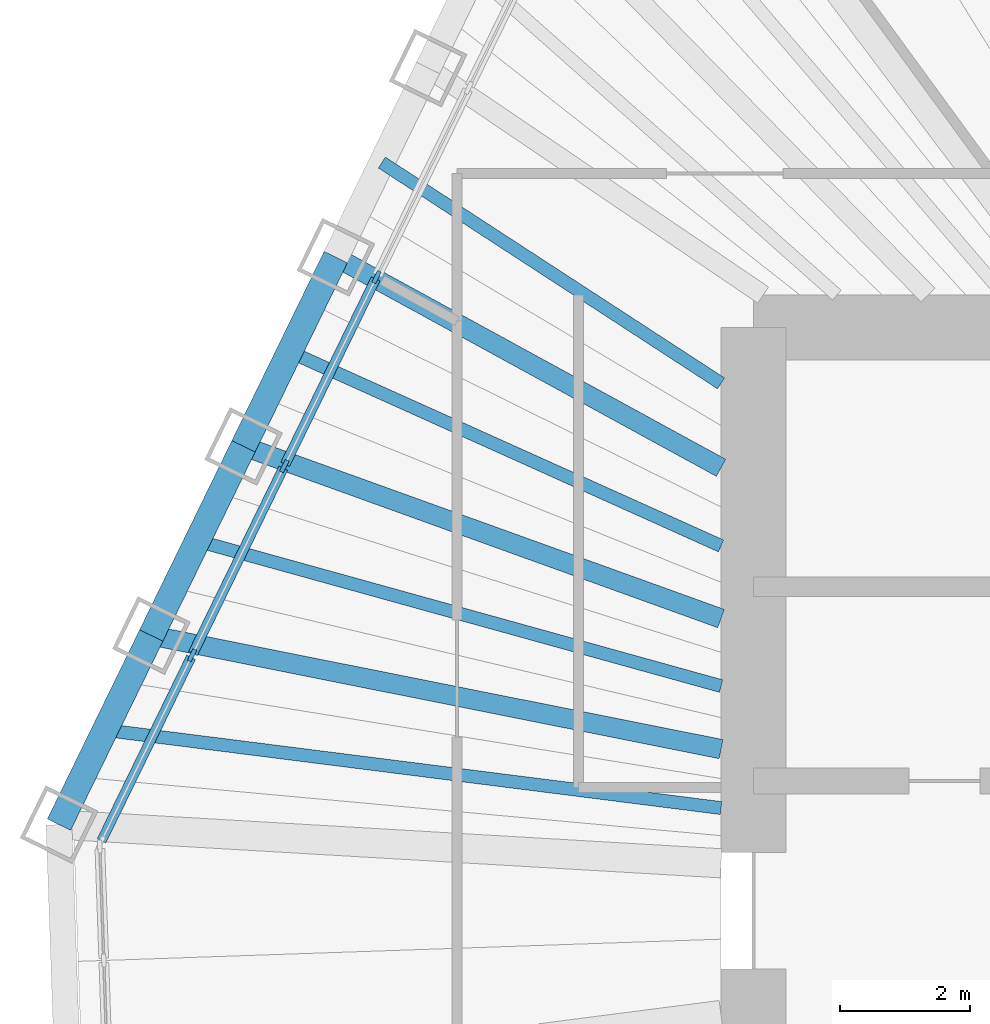
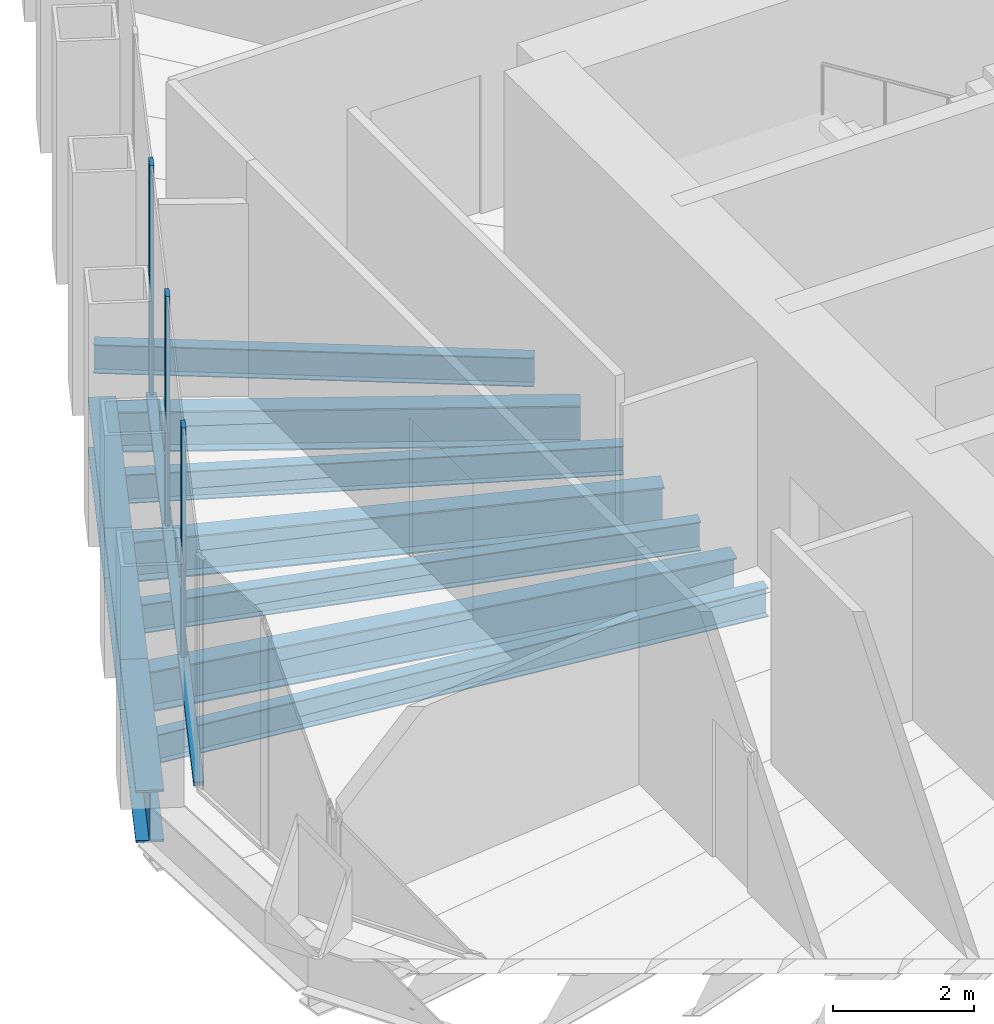
# One storey, part 4 of 14: 10 beams, 6 members, 1 element without a shape of its own.
"""IFC4 building model written with IfcOpenShell, lengths in metres."""

from ifc_helpers import new_model, si_unit, direction, frame, origin, origin_2d, place, context, subcontext, project, spatial, rectangle, i_section, extrude, material, material_profile, profile_set, type_object, element, aggregate, save


model = new_model("IFC4")

# Units and contexts
model_context = context("Model", 3, precision=1e-05, world=origin(), true_north=direction((0.0, 1.0)))
body_context = subcontext(model_context, "Body", "Model", "MODEL_VIEW")
ifc_project = project(units=[si_unit("LENGTHUNIT", "METRE"), si_unit("AREAUNIT", "SQUARE_METRE"), si_unit("VOLUMEUNIT", "CUBIC_METRE"), si_unit("PLANEANGLEUNIT", "RADIAN"), si_unit("MASSUNIT", "GRAM", prefix="KILO")], contexts=[model_context])

# Site, building, storey
site_placement = place(None, origin())
site = spatial("IfcSite", under=ifc_project, at=site_placement, CompositionType="ELEMENT")
building_placement = place(site_placement, origin())
building = spatial("IfcBuilding", under=site, at=building_placement, Name="Qingtian Harvest Tower", CompositionType="ELEMENT")
storey_placement = place(building_placement, frame((0.0, 0.0, 283.0)))
storey = spatial("IfcBuildingStorey", under=building, at=storey_placement, Name="L62", CompositionType="ELEMENT", Elevation=283.0)

# Beams
ifc_material_1 = material(Name="Steel SN490B", Category="steel")
ifc_material_profile_1 = material_profile(ifc_material_1, i_section(OverallWidth=0.300048828125, OverallDepth=0.699951171875, WebThickness=0.012939453125, FlangeThickness=0.02392578125, at=origin_2d()), Name="H700x300x13x24")
ifc_profile_set_1 = profile_set([ifc_material_profile_1], Name="Steel SN490B")
beam_type_1 = type_object("IfcBeamType", Name="Floor beam FB4 H700x300x13x24", PredefinedType="BEAM", material=ifc_profile_set_1)
beam_1_placement = place(storey_placement, frame((-21.29345703125, 4.246337890625, -0.52001953125), z_axis=(0.980688391079, -0.195576786971, 0.0), x_axis=(0.195576786971, 0.980688391079, 0.0)))
element("IfcBeam", 1, at=beam_1_placement, inside=storey, type_object=beam_type_1, Name="Floor beam FB4 NW1", PredefinedType="BEAM", context=body_context, shape_type="SweptSolid", body=[
    extrude(i_section(OverallWidth=0.300048828125, OverallDepth=0.699951171875, WebThickness=0.012939453125, FlangeThickness=0.02392578125, at=origin_2d()), origin(), (0.0, 0.0, 1.0), 8.966552734375),
])
beam_2_placement = place(storey_placement, frame((-19.86962890625, 7.165771484375, -0.52001953125), z_axis=(0.940688220757, -0.339272267256, 0.0), x_axis=(0.339272267256, 0.940688220757, 0.0)))
element("IfcBeam", 2, at=beam_2_placement, inside=storey, type_object=beam_type_1, Name="Floor beam FB4 NW2", PredefinedType="BEAM", context=body_context, shape_type="SweptSolid", body=[
    extrude(i_section(OverallWidth=0.300048828125, OverallDepth=0.699951171875, WebThickness=0.012939453125, FlangeThickness=0.02392578125, at=origin_2d()), origin(), (0.0, 0.0, 1.0), 7.834228515625),
])
beam_3_placement = place(storey_placement, frame((-18.44580078125, 10.0849609375, -0.52001953125), z_axis=(0.877425639682, -0.479712671116, 0.0), x_axis=(0.479712671116, 0.877425639682, 0.0)))
element("IfcBeam", 3, at=beam_3_placement, inside=storey, type_object=beam_type_1, Name="Floor beam FB4 NW3", PredefinedType="BEAM", context=body_context, shape_type="SweptSolid", body=[
    extrude(i_section(OverallWidth=0.300048828125, OverallDepth=0.699951171875, WebThickness=0.012939453125, FlangeThickness=0.02392578125, at=origin_2d()), origin(), (0.0, 0.0, 1.0), 6.7763671875),
])
ifc_material_2 = material(Name="Steel SN490B", Category="steel")
ifc_material_profile_2 = material_profile(ifc_material_2, i_section(OverallWidth=0.199951171875, OverallDepth=0.5, WebThickness=0.010009765625, FlangeThickness=0.01611328125, at=origin_2d()), Name="H500x200x10x16")
ifc_profile_set_2 = profile_set([ifc_material_profile_2], Name="Steel SN490B")
beam_type_2 = type_object("IfcBeamType", Name="Floor joist J3 H500x200x10x16", PredefinedType="JOIST", material=ifc_profile_set_2)
beam_4_placement = place(storey_placement, frame((-22.00537109375, 2.78662109375, -0.419921875), z_axis=(0.992078247837, -0.125621455844, 0.0), x_axis=(0.125621455844, 0.992078247837, 0.0)))
element("IfcBeam", 4, at=beam_4_placement, inside=storey, type_object=beam_type_2, Name="Floor joist J3 NW0", PredefinedType="JOIST", context=body_context, shape_type="SweptSolid", body=[
    extrude(i_section(OverallWidth=0.199951171875, OverallDepth=0.5, WebThickness=0.010009765625, FlangeThickness=0.01611328125, at=origin_2d()), origin(), (0.0, 0.0, 1.0), 9.581298828125),
])
beam_5_placement = place(storey_placement, frame((-20.58154296875, 5.7060546875, -0.419921875), z_axis=(0.963652918134, -0.267157356949, 0.0), x_axis=(0.267157356949, 0.963652918134, 0.0)))
element("IfcBeam", 5, at=beam_5_placement, inside=storey, type_object=beam_type_2, Name="Floor joist J3 NW1", PredefinedType="JOIST", context=body_context, shape_type="SweptSolid", body=[
    extrude(i_section(OverallWidth=0.199951171875, OverallDepth=0.5, WebThickness=0.010009765625, FlangeThickness=0.01611328125, at=origin_2d()), origin(), (0.0, 0.0, 1.0), 8.386474609375),
])
beam_6_placement = place(storey_placement, frame((-19.15771484375, 8.625244140625, -0.419921875), z_axis=(0.911852669976, -0.410517610168, 0.0), x_axis=(0.410517610168, 0.911852669976, 0.0)))
element("IfcBeam", 6, at=beam_6_placement, inside=storey, type_object=beam_type_2, Name="Floor joist J3 NW2", PredefinedType="JOIST", context=body_context, shape_type="SweptSolid", body=[
    extrude(i_section(OverallWidth=0.199951171875, OverallDepth=0.5, WebThickness=0.010009765625, FlangeThickness=0.01611328125, at=origin_2d()), origin(), (0.0, 0.0, 1.0), 7.30126953125),
])
beam_7_placement = place(storey_placement, frame((-17.73388671875, 11.544677734375, -0.419921875), z_axis=(0.838062930903, -0.545573573266, 0.0), x_axis=(0.545573573266, 0.838062930903, 0.0)))
element("IfcBeam", 7, at=beam_7_placement, inside=storey, type_object=beam_type_2, Name="Floor joist J3 NW3", PredefinedType="JOIST", context=body_context, shape_type="SweptSolid", body=[
    extrude(i_section(OverallWidth=0.199951171875, OverallDepth=0.5, WebThickness=0.010009765625, FlangeThickness=0.01611328125, at=origin_2d()), origin(), (0.0, 0.0, 1.0), 6.2451171875),
])

# Curtain wall, members
ifc_material_3 = material(Name="Bronze-anodised aluminium curtain wall", Category="aluminium")
curtain_wall_type = type_object("IfcCurtainWallType", Name="Curtain wall CW5 upper office", PredefinedType="USERDEFINED", material=ifc_material_3)
curtain_wall_placement = place(storey_placement, origin())
curtain_wall = element("IfcCurtainWall", 8, at=curtain_wall_placement, inside=storey, type_object=curtain_wall_type, Name="Curtain wall CW5 L62 NW0-5", ObjectType="RECESSED CURTAIN WALL", PredefinedType="USERDEFINED")
ifc_material_4 = material(Name="Bronze-anodised aluminium mullion", Category="aluminium")
ifc_material_profile_3 = material_profile(ifc_material_4, rectangle(XDim=0.06494140625, YDim=0.199951171875, at=origin_2d()), Name="AL 65x200")
ifc_profile_set_3 = profile_set([ifc_material_profile_3], Name="Bronze-anodised aluminium mullion")
member_type_1 = type_object("IfcMemberType", Name="Mullion CWM 65x200", PredefinedType="MULLION", material=ifc_profile_set_3)
member_1_placement = place(storey_placement, frame((-20.664306640625, 3.939453125, 0.0), z_axis=(0.0, 0.0, 1.0), x_axis=(-0.898794046299, 0.438371146789, 0.0)))
member_1 = element("IfcMember", 9, at=member_1_placement, type_object=member_type_1, Name="CW5 mullion 2", PredefinedType="MULLION", context=body_context, shape_type="SweptSolid", body=[
    extrude(rectangle(XDim=0.06494140625, YDim=0.199951171875, at=origin_2d()), origin(), (0.0, 0.0, 1.0), 4.030029296875),
])
member_2_placement = place(storey_placement, frame((-19.240478515625, 6.85888671875, 0.0), z_axis=(0.0, 0.0, 1.0), x_axis=(-0.898794046299, 0.438371146789, 0.0)))
member_2 = element("IfcMember", 10, at=member_2_placement, type_object=member_type_1, Name="CW5 mullion 3", PredefinedType="MULLION", context=body_context, shape_type="SweptSolid", body=[
    extrude(rectangle(XDim=0.06494140625, YDim=0.199951171875, at=origin_2d()), origin(), (0.0, 0.0, 1.0), 4.030029296875),
])
member_3_placement = place(storey_placement, frame((-17.816650390625, 9.778076171875, 0.0), z_axis=(0.0, 0.0, 1.0), x_axis=(-0.898794046299, 0.438371146789, 0.0)))
member_3 = element("IfcMember", 11, at=member_3_placement, type_object=member_type_1, Name="CW5 mullion 4", PredefinedType="MULLION", context=body_context, shape_type="SweptSolid", body=[
    extrude(rectangle(XDim=0.06494140625, YDim=0.199951171875, at=origin_2d()), origin(), (0.0, 0.0, 1.0), 4.030029296875),
])

# Beams
ifc_material_5 = material(Name="Steel SN490B", Category="steel")
ifc_material_profile_4 = material_profile(ifc_material_5, i_section(OverallWidth=0.39990234375, OverallDepth=0.89990234375, WebThickness=0.01904296875, FlangeThickness=0.035888671875, at=origin_2d()), Name="H900x400x19x36")
ifc_profile_set_4 = profile_set([ifc_material_profile_4], Name="Steel SN490B")
beam_type_3 = type_object("IfcBeamType", Name="Spandrel beam SB4 H900x400x19x36", PredefinedType="SPANDREL", material=ifc_profile_set_4)
beam_8_placement = place(storey_placement, frame((-22.71728515625, 1.3271484375, -0.449951171875), z_axis=(0.438382164311, 0.898788672611, 0.0), x_axis=(-0.898788672611, 0.438382164311, 0.0)))
element("IfcBeam", 12, at=beam_8_placement, inside=storey, type_object=beam_type_3, Name="Spandrel SB4 NW0", PredefinedType="SPANDREL", context=body_context, shape_type="SweptSolid", body=[
    extrude(i_section(OverallWidth=0.39990234375, OverallDepth=0.89990234375, WebThickness=0.01904296875, FlangeThickness=0.035888671875, at=origin_2d()), origin(), (0.0, 0.0, 1.0), 3.247802734375),
])
beam_9_placement = place(storey_placement, frame((-21.29345703125, 4.246337890625, -0.449951171875), z_axis=(0.438352548749, 0.898803116931, 0.0), x_axis=(-0.898803116931, 0.438352548749, 0.0)))
element("IfcBeam", 13, at=beam_9_placement, inside=storey, type_object=beam_type_3, Name="Spandrel SB4 NW1", PredefinedType="SPANDREL", context=body_context, shape_type="SweptSolid", body=[
    extrude(i_section(OverallWidth=0.39990234375, OverallDepth=0.89990234375, WebThickness=0.01904296875, FlangeThickness=0.035888671875, at=origin_2d()), origin(), (0.0, 0.0, 1.0), 3.248046875),
])
beam_10_placement = place(storey_placement, frame((-19.86962890625, 7.165771484375, -0.449951171875), z_axis=(0.438382164311, 0.898788672611, 0.0), x_axis=(-0.898788672611, 0.438382164311, 0.0)))
element("IfcBeam", 14, at=beam_10_placement, inside=storey, type_object=beam_type_3, Name="Spandrel SB4 NW2", PredefinedType="SPANDREL", context=body_context, shape_type="SweptSolid", body=[
    extrude(i_section(OverallWidth=0.39990234375, OverallDepth=0.89990234375, WebThickness=0.01904296875, FlangeThickness=0.035888671875, at=origin_2d()), origin(), (0.0, 0.0, 1.0), 3.247802734375),
])

# Member
ifc_material_6 = material(Name="Bronze-anodised aluminium transom", Category="aluminium")
ifc_material_profile_5 = material_profile(ifc_material_6, rectangle(XDim=0.14990234375, YDim=0.06494140625, at=origin_2d()), Name="AL 65x150")
ifc_profile_set_5 = profile_set([ifc_material_profile_5], Name="Bronze-anodised aluminium transom")
member_type_2 = type_object("IfcMemberType", Name="Transom CWT 65x150", PredefinedType="USERDEFINED", material=ifc_profile_set_5)
member_4_placement = place(storey_placement, frame((-22.059814453125, 1.07861328125, 0.032470703125), z_axis=(0.438357982629, 0.89880046677, 0.0), x_axis=(-0.89880046677, 0.438357982629, 0.0)))
member_4 = element("IfcMember", 15, at=member_4_placement, type_object=member_type_2, Name="CW5 transom 1.1", ObjectType="TRANSOM", PredefinedType="USERDEFINED", context=body_context, shape_type="SweptSolid", body=[
    extrude(rectangle(XDim=0.14990234375, YDim=0.06494140625, at=origin_2d()), origin(), (0.0, 0.0, 1.0), 3.150634765625),
])

member_5_placement = place(storey_placement, frame((-20.650146484375, 3.96875, 0.032470703125), z_axis=(0.438355626738, 0.898801615768, 0.0), x_axis=(-0.898801615768, 0.438355626738, 0.0)))
member_5 = element("IfcMember", 16, at=member_5_placement, type_object=member_type_2, Name="CW5 transom 2.1", ObjectType="TRANSOM", PredefinedType="USERDEFINED", context=body_context, shape_type="SweptSolid", body=[
    extrude(rectangle(XDim=0.14990234375, YDim=0.06494140625, at=origin_2d()), origin(), (0.0, 0.0, 1.0), 3.182861328125),
])

member_6_placement = place(storey_placement, frame((-19.226318359375, 6.887939453125, 0.032470703125), z_axis=(0.438325408134, 0.898816353091, 0.0), x_axis=(-0.898816353091, 0.438325408134, 0.0)))
member_6 = element("IfcMember", 17, at=member_6_placement, type_object=member_type_2, Name="CW5 transom 3.1", ObjectType="TRANSOM", PredefinedType="USERDEFINED", context=body_context, shape_type="SweptSolid", body=[
    extrude(rectangle(XDim=0.14990234375, YDim=0.06494140625, at=origin_2d()), origin(), (0.0, 0.0, 1.0), 3.18310546875),
])

aggregate(curtain_wall, [member_1, member_2, member_3, member_4, member_5, member_6])

save(model, "model.ifc")
